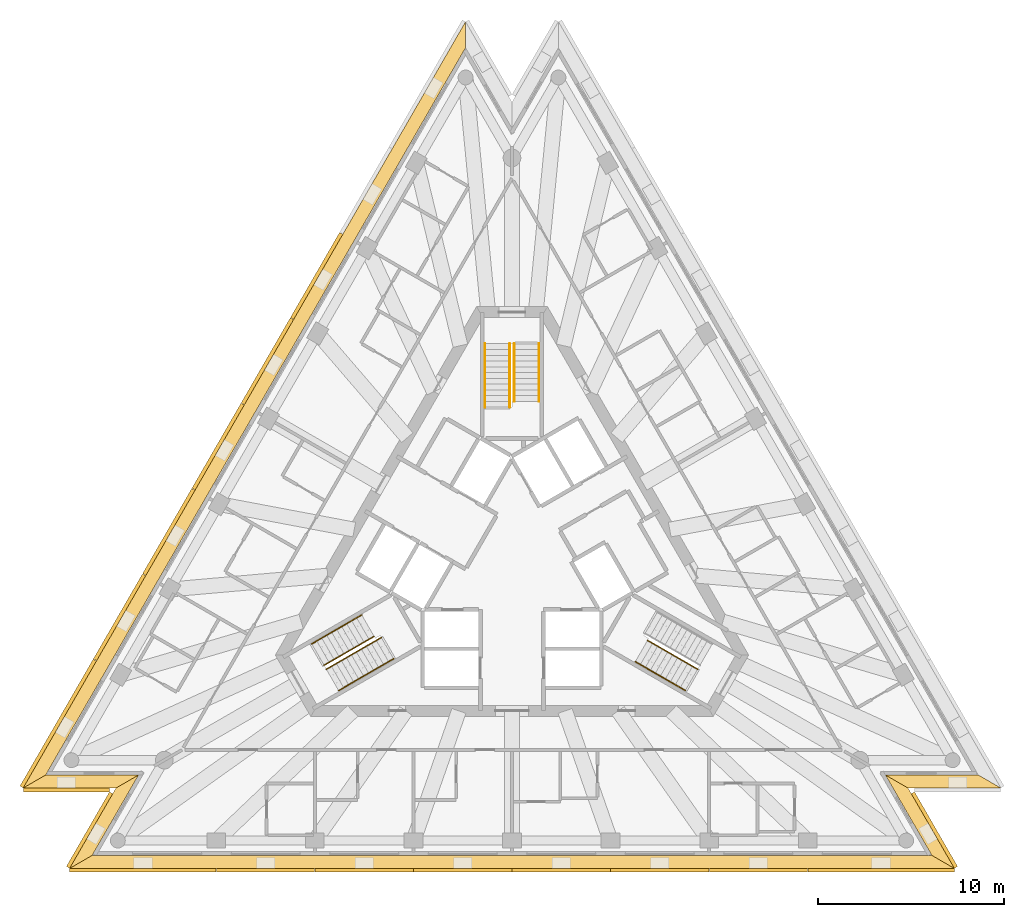
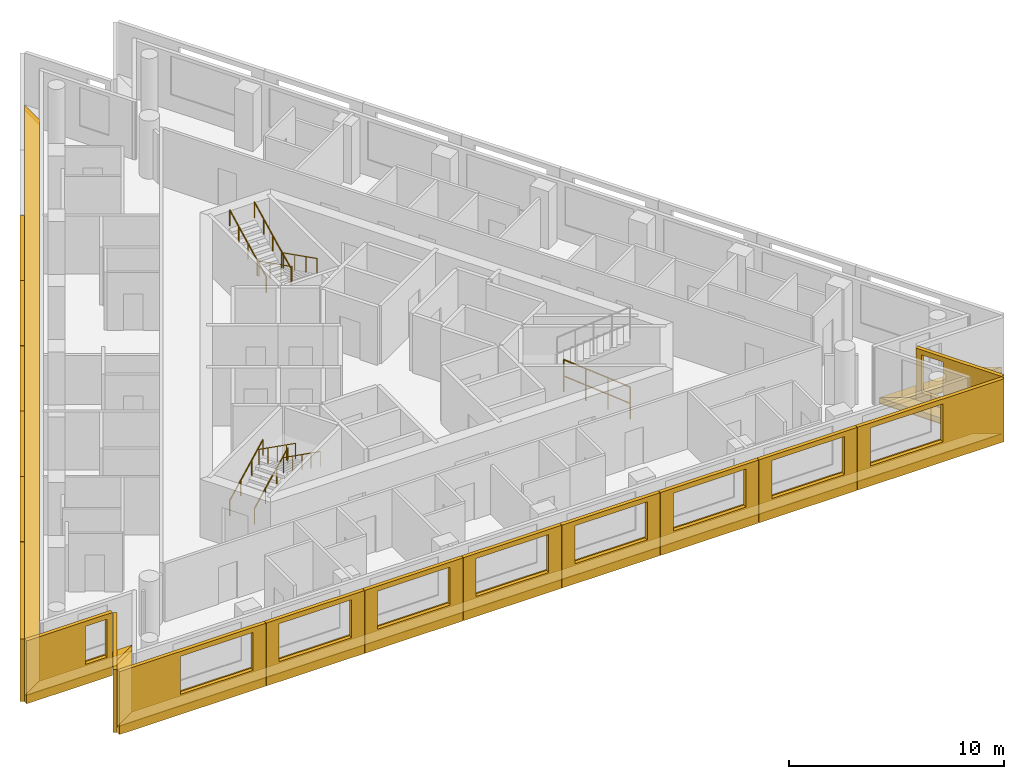
# One storey, part 10 of 11: 23 shading devices, 10 railings, 6 coverings, 3 elements without a shape of their own.
"""IFC4 building model written with IfcOpenShell, lengths in metres."""

import ifcopenshell
import ifcopenshell.guid

model = None  # the IFC model being written
_history = None  # IfcOwnerHistory: only IFC2X3 demands one
_inside = {}  # id of a spatial element -> (the spatial element, [elements in it])
_under = {}  # id of a project, library or spatial element -> (it, [spatial elements below it])
_declared = {}  # id of a project -> (the project, [libraries it declares])
_typed = {}  # id of a type object -> (the type object, [elements of that type])
_made_of = {}  # id of a material, layer set ... -> (it, [elements and type objects made of it])


def new_model(schema):
    """Start an empty IFC model of exactly this schema.

    Asked for "IFC4X3", IfcOpenShell would pick the latest addendum, in which some entities
    have other attributes; the version numbers below select the first issue.
    IFC2X3 requires an IfcOwnerHistory on every rooted entity: one is made here for all.
    """
    global model, _history
    if schema == "IFC4X3":
        model = ifcopenshell.file(schema_version=(4, 3, 0, 0))
    else:
        model = ifcopenshell.file(schema=schema)
    _inside.clear()
    _under.clear()
    _declared.clear()
    _typed.clear()
    _made_of.clear()
    _history = None
    if model.schema == "IFC2X3":
        org = make("IfcOrganization", Name="unknown")
        user = make(
            "IfcPersonAndOrganization",
            ThePerson=make("IfcPerson", FamilyName="unknown"),
            TheOrganization=org,
        )
        app = make(
            "IfcApplication",
            ApplicationDeveloper=org,
            Version="unknown",
            ApplicationFullName="unknown",
            ApplicationIdentifier="unknown",
        )
        _history = make(
            "IfcOwnerHistory",
            OwningUser=user,
            OwningApplication=app,
            ChangeAction="ADDED",
            CreationDate=0,
        )
    return model


def make(cls, **values):
    """One entity of the class cls with the attributes given. An attribute that is None is left unset."""
    return model.create_entity(
        cls, **{name: value for name, value in values.items() if value is not None}
    )


def rooted(cls, **values):
    """An entity with a GlobalId (a new one), such as an element, a storey or a relation."""
    return make(cls, GlobalId=ifcopenshell.guid.new(), OwnerHistory=_history, **values)


def si_unit(unit_type, name, prefix=None):
    """IfcSIUnit, for example si_unit("LENGTHUNIT", "METRE", prefix="MILLI")."""
    return make("IfcSIUnit", UnitType=unit_type, Prefix=prefix, Name=name)


def assignment(units):
    """IfcUnitAssignment: the units of a project."""
    return None if units is None else make("IfcUnitAssignment", Units=units)


def point(xyz):
    """IfcCartesianPoint."""
    return None if xyz is None else make("IfcCartesianPoint", Coordinates=xyz)


def direction(xyz):
    """IfcDirection."""
    return None if xyz is None else make("IfcDirection", DirectionRatios=xyz)


def frame(location, z_axis=None, x_axis=None):
    """IfcAxis2Placement3D, a coordinate frame: its origin and axes. An axis left out is left unset."""
    return make(
        "IfcAxis2Placement3D",
        Location=point(location),
        Axis=direction(z_axis),
        RefDirection=direction(x_axis),
    )


def frame_2d(location, x_axis=None):
    """IfcAxis2Placement2D, a coordinate frame in the plane: its origin and x axis."""
    return make(
        "IfcAxis2Placement2D", Location=point(location), RefDirection=direction(x_axis)
    )


def origin():
    """The frame at (0, 0, 0) with its axes left unset."""
    return frame((0.0, 0.0, 0.0))


def origin_2d():
    """The frame at (0, 0) in the plane with its x axis left unset."""
    return frame_2d((0.0, 0.0))


def place(relative_to, where):
    """IfcLocalPlacement: puts the frame where relative to a parent placement (None: the world)."""
    return make(
        "IfcLocalPlacement", PlacementRelTo=relative_to, RelativePlacement=where
    )


def context(
    kind, dimensions, precision=None, world=None, true_north=None, identifier=None
):
    """IfcGeometricRepresentationContext, for example the 3D "Model" context."""
    return make(
        "IfcGeometricRepresentationContext",
        ContextIdentifier=identifier,
        ContextType=kind,
        CoordinateSpaceDimension=dimensions,
        Precision=precision,
        WorldCoordinateSystem=world,
        TrueNorth=true_north,
    )


def subcontext(parent, identifier, kind, view, scale=None):
    """IfcGeometricRepresentationSubContext, for example "Body" below "Model"."""
    return make(
        "IfcGeometricRepresentationSubContext",
        ContextIdentifier=identifier,
        ContextType=kind,
        ParentContext=parent,
        TargetScale=scale,
        TargetView=view,
    )


def project(units=None, contexts=None):
    """IfcProject with its units and contexts."""
    return rooted(
        "IfcProject",
        Name="project",
        RepresentationContexts=contexts,
        UnitsInContext=assignment(units),
    )


def spatial(cls, under=None, at=None, **own):
    """A site, building, storey or space (cls), placed at a placement, below another one or the project."""
    s = rooted(cls, ObjectPlacement=at, **own)
    if under is not None:
        _under.setdefault(under.id(), (under, []))[1].append(s)
    return s


def polyline(points):
    """IfcPolyline through the points."""
    return make("IfcPolyline", Points=[point(p) for p in points])


def profile(cls, at=None, kind="AREA", **sizes):
    """A parametric profile (cls). Its sizes go by their IFC names, for example OverallWidth=200.0."""
    return make(cls, ProfileType=kind, Position=at, **sizes)


def circle(**sizes):
    """IfcCircleProfileDef."""
    return profile("IfcCircleProfileDef", **sizes)


def outline(outer, holes=None, kind="AREA"):
    """IfcArbitraryClosedProfileDef: a profile drawn as a closed curve; with holes, ...WithVoids."""
    if holes is None:
        return make("IfcArbitraryClosedProfileDef", ProfileType=kind, OuterCurve=outer)
    return make(
        "IfcArbitraryProfileDefWithVoids",
        ProfileType=kind,
        OuterCurve=outer,
        InnerCurves=holes,
    )


def extrude(swept, where, along, depth):
    """IfcExtrudedAreaSolid: the profile swept, set in the frame where, extruded along a direction by depth."""
    return make(
        "IfcExtrudedAreaSolid",
        SweptArea=swept,
        Position=where,
        ExtrudedDirection=direction(along),
        Depth=depth,
    )


def shape(context_of_items, identifier, shape_type, items):
    """IfcShapeRepresentation: the items that make up one representation, for example the "Body"."""
    return make(
        "IfcShapeRepresentation",
        ContextOfItems=context_of_items,
        RepresentationIdentifier=identifier,
        RepresentationType=shape_type,
        Items=items,
    )


def material(Name=None, Category=None):
    """IfcMaterial."""
    return make("IfcMaterial", Name=Name, Category=Category)


def layer(
    of_material, thickness, ventilated=None, Name=None, Category=None, Priority=None
):
    """IfcMaterialLayer: one layer of a wall or slab, of a material (None: an air gap)."""
    return make(
        "IfcMaterialLayer",
        Material=of_material,
        LayerThickness=thickness,
        IsVentilated=ventilated,
        Name=Name,
        Category=Category,
        Priority=Priority,
    )


def layer_set(layers, Name=None):
    """IfcMaterialLayerSet."""
    return make("IfcMaterialLayerSet", MaterialLayers=layers, LayerSetName=Name)


def layer_usage(for_layer_set, set_direction, sense, offset, extent=None):
    """IfcMaterialLayerSetUsage: how a layer set lies in its element."""
    return make(
        "IfcMaterialLayerSetUsage",
        ForLayerSet=for_layer_set,
        LayerSetDirection=set_direction,
        DirectionSense=sense,
        OffsetFromReferenceLine=offset,
        ReferenceExtent=extent,
    )


def made_of(thing, what):
    """Note that an element or type object is made of a material, layer set ...; save() writes the relation."""
    if what is not None:
        _made_of.setdefault(what.id(), (what, []))[1].append(thing)
    return thing


def type_object(cls, material=None, **own):
    """A type object (cls), such as IfcWallType, which elements share."""
    return made_of(rooted(cls, **own), material)


def element(
    cls,
    number,
    at=None,
    inside=None,
    cuts=None,
    type_object=None,
    material=None,
    context=None,
    identifier="Body",
    shape_type=None,
    held_by="IfcProductDefinitionShape",
    body=None,
    shapes=None,
    **own,
):
    """One element of the class cls, such as IfcWall. Its Tag is "e" and its number.

    at: its placement. inside: the storey or other place that contains it. cuts: it is an
    opening in that element (IfcRelVoidsElement). A single representation is given by context,
    identifier, shape_type and body (its items); several are given by shapes. held_by: the class
    of the entity that holds the representations. save() writes the other relations.
    """
    e = rooted(cls, Tag="e%d" % number, ObjectPlacement=at, **own)
    if body is not None:
        shapes = [shape(context, identifier, shape_type, body)]
    if shapes is not None:
        e.Representation = make(held_by, Representations=shapes)
    if inside is not None:
        _inside.setdefault(inside.id(), (inside, []))[1].append(e)
    if cuts is not None:
        rooted(
            "IfcRelVoidsElement", RelatingBuildingElement=cuts, RelatedOpeningElement=e
        )
    if type_object is not None:
        _typed.setdefault(type_object.id(), (type_object, []))[1].append(e)
    return made_of(e, material)


def aggregate(whole, parts):
    """IfcRelAggregates: a whole, such as a stair, and the parts it consists of."""
    return rooted("IfcRelAggregates", RelatingObject=whole, RelatedObjects=parts)


def save(model, path):
    """Write the relations noted so far, then the file.

    IfcRelAggregates (storeys below a building ...), IfcRelContainedInSpatialStructure (elements
    in a storey), IfcRelDefinesByType, IfcRelAssociatesMaterial and IfcRelDeclares: one each for
    every whole, place, type object, material and project.
    """
    for whole, parts in _under.values():
        aggregate(whole, parts)
    for where, things in _inside.values():
        rooted(
            "IfcRelContainedInSpatialStructure",
            RelatedElements=things,
            RelatingStructure=where,
        )
    for kind, things in _typed.values():
        rooted("IfcRelDefinesByType", RelatedObjects=things, RelatingType=kind)
    for what, things in _made_of.values():
        rooted("IfcRelAssociatesMaterial", RelatedObjects=things, RelatingMaterial=what)
    for by, libraries in _declared.values():
        rooted("IfcRelDeclares", RelatingContext=by, RelatedDefinitions=libraries)
    model.write(path)


model = new_model("IFC4")

# Units and contexts
model_context = context("Model", 3, precision=1e-05, world=origin(), true_north=direction((0.0, 1.0)))
body_context = subcontext(model_context, "Body", "Model", "MODEL_VIEW")
ifc_project = project(units=[si_unit("LENGTHUNIT", "METRE"), si_unit("AREAUNIT", "SQUARE_METRE"), si_unit("VOLUMEUNIT", "CUBIC_METRE"), si_unit("PLANEANGLEUNIT", "RADIAN"), si_unit("MASSUNIT", "GRAM", prefix="KILO")], contexts=[model_context])

# Site, building, storey
site_placement = place(None, origin())
site = spatial("IfcSite", under=ifc_project, at=site_placement, CompositionType="ELEMENT")
building_placement = place(site_placement, origin())
building = spatial("IfcBuilding", under=site, at=building_placement, Name="Triada Interchange Tower", CompositionType="ELEMENT")
storey_placement = place(building_placement, frame((0.0, 0.0, 304.300048828125)))
storey = spatial("IfcBuildingStorey", under=building, at=storey_placement, Name="L72", CompositionType="ELEMENT", Elevation=304.300048828125)

# Coverings
ifc_material_1 = material(Name="Mineral fire-stop board")
ifc_layer_1 = layer(ifc_material_1, 0.0400390625, Name="Mineral fire-stop board")
ifc_material_2 = material(Name="Intumescent sealant")
ifc_layer_2 = layer(ifc_material_2, 0.010009765625, Name="Intumescent seal")
ifc_layer_set_1 = layer_set([ifc_layer_1, ifc_layer_2], Name="Cavity fire stop")
ifc_layer_usage = layer_usage(ifc_layer_set_1, "AXIS3", "POSITIVE", 0.0)
covering_type = type_object("IfcCoveringType", Name="Cavity fire stop", PredefinedType="INSULATION", material=ifc_layer_set_1)
covering_1_placement = place(storey_placement, origin())
element("IfcCovering", 1, at=covering_1_placement, inside=storey, type_object=covering_type, material=ifc_layer_usage, Name="Cavity fire stop L72 NW", PredefinedType="INSULATION", context=body_context, shape_type="SweptSolid", body=[
    extrude(outline(polyline([(-2.498046875, 27.527099609375), (-2.498046875, 28.927001953125), (-26.300048828125, -12.300048828125), (-25.087890625, -11.60009765625), (-2.498046875, 27.527099609375)])), origin(), (0.0, 0.0, 1.0), 0.050048828125),
])
covering_2_placement = place(storey_placement, origin())
element("IfcCovering", 2, at=covering_2_placement, inside=storey, type_object=covering_type, material=ifc_layer_usage, Name="Cavity fire stop L72 SW-1", PredefinedType="INSULATION", context=body_context, shape_type="SweptSolid", body=[
    extrude(outline(polyline([(-25.087890625, -11.60009765625), (-26.300048828125, -12.300048828125), (-21.302978515625, -12.300048828125), (-20.091064453125, -11.60009765625), (-25.087890625, -11.60009765625)])), origin(), (0.0, 0.0, 1.0), 0.050048828125),
])
covering_3_placement = place(storey_placement, origin())
element("IfcCovering", 3, at=covering_3_placement, inside=storey, type_object=covering_type, material=ifc_layer_usage, Name="Cavity fire stop L72 SW-2", PredefinedType="INSULATION", context=body_context, shape_type="SweptSolid", body=[
    extrude(outline(polyline([(-20.091064453125, -11.60009765625), (-21.302978515625, -12.300048828125), (-23.802001953125, -16.626953125), (-22.590087890625, -15.927001953125), (-20.091064453125, -11.60009765625)])), origin(), (0.0, 0.0, 1.0), 0.050048828125),
])
covering_4_placement = place(storey_placement, origin())
element("IfcCovering", 4, at=covering_4_placement, inside=storey, type_object=covering_type, material=ifc_layer_usage, Name="Cavity fire stop L72 S", PredefinedType="INSULATION", context=body_context, shape_type="SweptSolid", body=[
    extrude(outline(polyline([(-22.590087890625, -15.927001953125), (-23.802001953125, -16.626953125), (23.802001953125, -16.626953125), (22.590087890625, -15.927001953125), (-22.590087890625, -15.927001953125)])), origin(), (0.0, 0.0, 1.0), 0.050048828125),
])
covering_5_placement = place(storey_placement, origin())
element("IfcCovering", 5, at=covering_5_placement, inside=storey, type_object=covering_type, material=ifc_layer_usage, Name="Cavity fire stop L72 SE-1", PredefinedType="INSULATION", context=body_context, shape_type="SweptSolid", body=[
    extrude(outline(polyline([(22.590087890625, -15.927001953125), (23.802001953125, -16.626953125), (21.302978515625, -12.300048828125), (20.091064453125, -11.60009765625), (22.590087890625, -15.927001953125)])), origin(), (0.0, 0.0, 1.0), 0.050048828125),
])
covering_6_placement = place(storey_placement, origin())
element("IfcCovering", 6, at=covering_6_placement, inside=storey, type_object=covering_type, material=ifc_layer_usage, Name="Cavity fire stop L72 SE-2", PredefinedType="INSULATION", context=body_context, shape_type="SweptSolid", body=[
    extrude(outline(polyline([(20.091064453125, -11.60009765625), (21.302978515625, -12.300048828125), (26.300048828125, -12.300048828125), (25.087890625, -11.60009765625), (20.091064453125, -11.60009765625)])), origin(), (0.0, 0.0, 1.0), 0.050048828125),
])

# Shading devices
ifc_material_3 = material(Name="Aluminium louvre", Category="aluminium")
shading_device_type_1 = type_object("IfcShadingDeviceType", Name="Cavity louvre grille", PredefinedType="JALOUSIE", material=ifc_material_3)
shading_device_1_placement = place(storey_placement, frame((0.0, 0.0, 0.050048828125)))
element("IfcShadingDevice", 7, at=shading_device_1_placement, inside=storey, type_object=shading_device_type_1, Name="Cavity louvre grille L72 NW", PredefinedType="JALOUSIE", context=body_context, shape_type="SweptSolid", body=[
    extrude(outline(polyline([(-2.498046875, 27.527099609375), (-2.498046875, 28.927001953125), (-26.300048828125, -12.300048828125), (-25.087890625, -11.60009765625), (-2.498046875, 27.527099609375)])), origin(), (0.0, 0.0, 1.0), 0.2998046875),
])
shading_device_2_placement = place(storey_placement, frame((0.0, 0.0, 0.050048828125)))
element("IfcShadingDevice", 8, at=shading_device_2_placement, inside=storey, type_object=shading_device_type_1, Name="Cavity louvre grille L72 SW-1", PredefinedType="JALOUSIE", context=body_context, shape_type="SweptSolid", body=[
    extrude(outline(polyline([(-25.087890625, -11.60009765625), (-26.300048828125, -12.300048828125), (-21.302978515625, -12.300048828125), (-20.091064453125, -11.60009765625), (-25.087890625, -11.60009765625)])), origin(), (0.0, 0.0, 1.0), 0.2998046875),
])
shading_device_3_placement = place(storey_placement, frame((0.0, 0.0, 0.050048828125)))
element("IfcShadingDevice", 9, at=shading_device_3_placement, inside=storey, type_object=shading_device_type_1, Name="Cavity louvre grille L72 SW-2", PredefinedType="JALOUSIE", context=body_context, shape_type="SweptSolid", body=[
    extrude(outline(polyline([(-20.091064453125, -11.60009765625), (-21.302978515625, -12.300048828125), (-23.802001953125, -16.626953125), (-22.590087890625, -15.927001953125), (-20.091064453125, -11.60009765625)])), origin(), (0.0, 0.0, 1.0), 0.2998046875),
])
shading_device_4_placement = place(storey_placement, frame((0.0, 0.0, 0.050048828125)))
element("IfcShadingDevice", 10, at=shading_device_4_placement, inside=storey, type_object=shading_device_type_1, Name="Cavity louvre grille L72 S", PredefinedType="JALOUSIE", context=body_context, shape_type="SweptSolid", body=[
    extrude(outline(polyline([(-22.590087890625, -15.927001953125), (-23.802001953125, -16.626953125), (23.802001953125, -16.626953125), (22.590087890625, -15.927001953125), (-22.590087890625, -15.927001953125)])), origin(), (0.0, 0.0, 1.0), 0.2998046875),
])
shading_device_5_placement = place(storey_placement, frame((0.0, 0.0, 0.050048828125)))
element("IfcShadingDevice", 11, at=shading_device_5_placement, inside=storey, type_object=shading_device_type_1, Name="Cavity louvre grille L72 SE-1", PredefinedType="JALOUSIE", context=body_context, shape_type="SweptSolid", body=[
    extrude(outline(polyline([(22.590087890625, -15.927001953125), (23.802001953125, -16.626953125), (21.302978515625, -12.300048828125), (20.091064453125, -11.60009765625), (22.590087890625, -15.927001953125)])), origin(), (0.0, 0.0, 1.0), 0.2998046875),
])
shading_device_6_placement = place(storey_placement, frame((0.0, 0.0, 0.050048828125)))
element("IfcShadingDevice", 12, at=shading_device_6_placement, inside=storey, type_object=shading_device_type_1, Name="Cavity louvre grille L72 SE-2", PredefinedType="JALOUSIE", context=body_context, shape_type="SweptSolid", body=[
    extrude(outline(polyline([(20.091064453125, -11.60009765625), (21.302978515625, -12.300048828125), (26.300048828125, -12.300048828125), (25.087890625, -11.60009765625), (20.091064453125, -11.60009765625)])), origin(), (0.0, 0.0, 1.0), 0.2998046875),
])
ifc_material_4 = material(Name="Concrete C50/60 precast", Category="concrete")
ifc_layer_3 = layer(ifc_material_4, 0.02001953125, Name="Exposed aggregate face")
ifc_layer_4 = layer(ifc_material_4, 0.179931640625, Name="Precast concrete screen")
ifc_layer_set_2 = layer_set([ifc_layer_3, ifc_layer_4], Name="Outer skin screen panel 3580")
shading_device_type_2 = type_object("IfcShadingDeviceType", Name="Outer skin screen panel 3580", PredefinedType="SHUTTER", material=ifc_layer_set_2)
shading_device_7_placement = place(storey_placement, frame((-9.10302734375, 17.487060546875, -0.2900390625), z_axis=(0.0, 0.0, 1.0), x_axis=(-0.500011881073, -0.866018544135, 0.0)))
element("IfcShadingDevice", 13, at=shading_device_7_placement, inside=storey, type_object=shading_device_type_2, Name="Outer skin screen panel L72 03", PredefinedType="SHUTTER", context=body_context, shape_type="SweptSolid", body=[
    extrude(outline(polyline([(0.0, 0.0), (5.281494140625, 0.0), (5.281494140625, 3.580078125), (0.0, 3.580078125), (0.0, 0.0)]), holes=[polyline([(0.6904296875, 1.139892578125), (0.6904296875, 3.300048828125), (4.59033203125, 3.300048828125), (4.59033203125, 1.139892578125), (0.6904296875, 1.139892578125)])]), frame((0.0, 0.0, 0.0), z_axis=(0.0, -1.0, 0.0), x_axis=(1.0, 0.0, 0.0)), (0.0, 0.0, 1.0), 0.199951171875),
])
shading_device_8_placement = place(storey_placement, frame((-11.75390625, 12.89599609375, -0.2900390625), z_axis=(0.0, 0.0, 1.0), x_axis=(-0.499907866474, -0.866078590566, 0.0)))
element("IfcShadingDevice", 14, at=shading_device_8_placement, inside=storey, type_object=shading_device_type_2, Name="Outer skin screen panel L72 04", PredefinedType="SHUTTER", context=body_context, shape_type="SweptSolid", body=[
    extrude(outline(polyline([(0.0, 0.0), (5.28125, 0.0), (5.28125, 3.580078125), (0.0, 3.580078125), (0.0, 0.0)]), holes=[polyline([(0.690185546875, 1.139892578125), (0.690185546875, 3.300048828125), (4.59033203125, 3.300048828125), (4.59033203125, 1.139892578125), (0.690185546875, 1.139892578125)])]), frame((0.0, 0.0, 0.0), z_axis=(0.0, -1.0, 0.0), x_axis=(1.0, 0.0, 0.0)), (0.0, 0.0, 1.0), 0.199951171875),
])
shading_device_9_placement = place(storey_placement, frame((-14.404052734375, 8.304931640625, -0.2900390625), z_axis=(0.0, 0.0, 1.0), x_axis=(-0.500011881073, -0.866018544135, 0.0)))
element("IfcShadingDevice", 15, at=shading_device_9_placement, inside=storey, type_object=shading_device_type_2, Name="Outer skin screen panel L72 05", PredefinedType="SHUTTER", context=body_context, shape_type="SweptSolid", body=[
    extrude(outline(polyline([(0.0, 0.0), (5.281494140625, 0.0), (5.281494140625, 3.580078125), (0.0, 3.580078125), (0.0, 0.0)]), holes=[polyline([(0.690185546875, 1.139892578125), (0.690185546875, 3.300048828125), (4.59033203125, 3.300048828125), (4.59033203125, 1.139892578125), (0.690185546875, 1.139892578125)])]), frame((0.0, 0.0, 0.0), z_axis=(0.0, -1.0, 0.0), x_axis=(1.0, 0.0, 0.0)), (0.0, 0.0, 1.0), 0.199951171875),
])
shading_device_10_placement = place(storey_placement, frame((-17.054931640625, 3.714111328125, -0.2900390625), z_axis=(0.0, 0.0, 1.0), x_axis=(-0.499887852359, -0.866090142574, 0.0)))
element("IfcShadingDevice", 16, at=shading_device_10_placement, inside=storey, type_object=shading_device_type_2, Name="Outer skin screen panel L72 06", PredefinedType="SHUTTER", context=body_context, shape_type="SweptSolid", body=[
    extrude(outline(polyline([(0.0, 0.0), (5.281494140625, 0.0), (5.281494140625, 3.580078125), (0.0, 3.580078125), (0.0, 0.0)]), holes=[polyline([(0.690185546875, 1.139892578125), (0.690185546875, 3.300048828125), (4.590087890625, 3.300048828125), (4.590087890625, 1.139892578125), (0.690185546875, 1.139892578125)])]), frame((0.0, 0.0, 0.0), z_axis=(0.0, -1.0, 0.0), x_axis=(1.0, 0.0, 0.0)), (0.0, 0.0, 1.0), 0.199951171875),
])
shading_device_11_placement = place(storey_placement, frame((-19.705078125, -0.876953125, -0.2900390625), z_axis=(0.0, 0.0, 1.0), x_axis=(-0.500091956443, -0.865972306197, 0.0)))
element("IfcShadingDevice", 17, at=shading_device_11_placement, inside=storey, type_object=shading_device_type_2, Name="Outer skin screen panel L72 07", PredefinedType="SHUTTER", context=body_context, shape_type="SweptSolid", body=[
    extrude(outline(polyline([(0.0, 0.0), (5.28076171875, 0.0), (5.28076171875, 3.580078125), (0.0, 3.580078125), (0.0, 0.0)]), holes=[polyline([(0.690185546875, 1.139892578125), (0.690185546875, 3.300048828125), (4.590087890625, 3.300048828125), (4.590087890625, 1.139892578125), (0.690185546875, 1.139892578125)])]), frame((0.0, 0.0, 0.0), z_axis=(0.0, -1.0, 0.0), x_axis=(1.0, 0.0, 0.0)), (0.0, 0.0, 1.0), 0.199951171875),
])
shading_device_12_placement = place(storey_placement, frame((-22.35595703125, -5.468017578125, -0.2900390625), z_axis=(0.0, 0.0, 1.0), x_axis=(-0.499971924588, -0.866041612524, 0.0)))
element("IfcShadingDevice", 18, at=shading_device_12_placement, inside=storey, type_object=shading_device_type_2, Name="Outer skin screen panel L72 08", PredefinedType="SHUTTER", context=body_context, shape_type="SweptSolid", body=[
    extrude(outline(polyline([(0.0, 0.0), (7.87841796875, 0.0), (7.87841796875, 3.580078125), (0.0, 3.580078125), (0.0, 0.0)]), holes=[polyline([(0.690185546875, 1.139892578125), (0.690185546875, 3.300048828125), (4.590087890625, 3.300048828125), (4.590087890625, 1.139892578125), (0.690185546875, 1.139892578125)])]), frame((0.0, 0.0, 0.0), z_axis=(0.0, -1.0, 0.0), x_axis=(1.0, 0.0, 0.0)), (0.0, 0.0, 1.0), 0.199951171875),
])
shading_device_13_placement = place(storey_placement, frame((-26.2900390625, -12.300048828125, -0.2900390625), z_axis=(0.0, 0.0, 1.0), x_axis=(1.0, 0.0, 0.0)))
element("IfcShadingDevice", 19, at=shading_device_13_placement, inside=storey, type_object=shading_device_type_2, Name="Outer skin screen panel L72 09", PredefinedType="SHUTTER", context=body_context, shape_type="SweptSolid", body=[
    extrude(outline(polyline([(0.0, 0.0), (4.630126953125, 0.0), (4.630126953125, 3.580078125), (0.0, 3.580078125), (0.0, 0.0)]), holes=[polyline([(3.175048828125, 1.139892578125), (3.175048828125, 3.300048828125), (4.330078125, 3.300048828125), (4.330078125, 1.139892578125), (3.175048828125, 1.139892578125)])]), frame((0.0, 0.0, 0.0), z_axis=(0.0, -1.0, 0.0), x_axis=(1.0, 0.0, 0.0)), (0.0, 0.0, 1.0), 0.199951171875),
])
shading_device_14_placement = place(storey_placement, frame((-21.48193359375, -12.60888671875, -0.2900390625), z_axis=(0.0, 0.0, 1.0), x_axis=(-0.500092201355, -0.865972164763, 0.0)))
element("IfcShadingDevice", 20, at=shading_device_14_placement, inside=storey, type_object=shading_device_type_2, Name="Outer skin screen panel L72 10", PredefinedType="SHUTTER", context=body_context, shape_type="SweptSolid", body=[
    extrude(outline(polyline([(0.0, 0.0), (4.629638671875, 0.0), (4.629638671875, 3.580078125), (0.0, 3.580078125), (0.0, 0.0)]), holes=[polyline([(0.300048828125, 1.139892578125), (0.300048828125, 3.300048828125), (1.2578125, 3.300048828125), (1.2578125, 1.139892578125), (0.300048828125, 1.139892578125)])]), frame((0.0, 0.0, 0.0), z_axis=(0.0, -1.0, 0.0), x_axis=(1.0, 0.0, 0.0)), (0.0, 0.0, 1.0), 0.199951171875),
])
shading_device_15_placement = place(storey_placement, frame((-23.7919921875, -16.626953125, -0.2900390625), z_axis=(0.0, 0.0, 1.0), x_axis=(1.0, 0.0, 0.0)))
element("IfcShadingDevice", 21, at=shading_device_15_placement, inside=storey, type_object=shading_device_type_2, Name="Outer skin screen panel L72 11", PredefinedType="SHUTTER", context=body_context, shape_type="SweptSolid", body=[
    extrude(outline(polyline([(0.0, 0.0), (7.87890625, 0.0), (7.87890625, 3.580078125), (0.0, 3.580078125), (0.0, 0.0)]), holes=[polyline([(3.2890625, 1.139892578125), (3.2890625, 3.300048828125), (7.18896484375, 3.300048828125), (7.18896484375, 1.139892578125), (3.2890625, 1.139892578125)])]), frame((0.0, 0.0, 0.0), z_axis=(0.0, -1.0, 0.0), x_axis=(1.0, 0.0, 0.0)), (0.0, 0.0, 1.0), 0.199951171875),
])
for number, where, z_axis, x_axis, name in (
    (22, (-15.89306640625, -16.626953125, -0.2900390625), (0.0, 0.0, 1.0), (1.0, 0.0, 0.0), "Outer skin screen panel L72 12"),
    (23, (-10.592041015625, -16.626953125, -0.2900390625), (0.0, 0.0, 1.0), (1.0, 0.0, 0.0), "Outer skin screen panel L72 13"),
):
    element("IfcShadingDevice", number, at=place(storey_placement, frame(where, z_axis=z_axis, x_axis=x_axis)), inside=storey, type_object=shading_device_type_2, Name=name, PredefinedType="SHUTTER", context=body_context, shape_type="SweptSolid", body=[
        extrude(outline(polyline([(0.0, 0.0), (5.281005859375, 0.0), (5.281005859375, 3.580078125), (0.0, 3.580078125), (0.0, 0.0)]), holes=[polyline([(0.69091796875, 1.139892578125), (0.69091796875, 3.300048828125), (4.591064453125, 3.300048828125), (4.591064453125, 1.139892578125), (0.69091796875, 1.139892578125)])]), frame((0.0, 0.0, 0.0), z_axis=(0.0, -1.0, 0.0), x_axis=(1.0, 0.0, 0.0)), (0.0, 0.0, 1.0), 0.199951171875),
    ])
shading_device_16_placement = place(storey_placement, frame((-5.291015625, -16.626953125, -0.2900390625), z_axis=(0.0, 0.0, 1.0), x_axis=(1.0, 0.0, 0.0)))
element("IfcShadingDevice", 24, at=shading_device_16_placement, inside=storey, type_object=shading_device_type_2, Name="Outer skin screen panel L72 14", PredefinedType="SHUTTER", context=body_context, shape_type="SweptSolid", body=[
    extrude(outline(polyline([(0.0, 0.0), (5.281005859375, 0.0), (5.281005859375, 3.580078125), (0.0, 3.580078125), (0.0, 0.0)]), holes=[polyline([(0.68994140625, 1.139892578125), (0.68994140625, 3.300048828125), (4.590087890625, 3.300048828125), (4.590087890625, 1.139892578125), (0.68994140625, 1.139892578125)])]), frame((0.0, 0.0, 0.0), z_axis=(0.0, -1.0, 0.0), x_axis=(1.0, 0.0, 0.0)), (0.0, 0.0, 1.0), 0.199951171875),
])
shading_device_17_placement = place(storey_placement, frame((0.010009765625, -16.626953125, -0.2900390625), z_axis=(0.0, 0.0, 1.0), x_axis=(1.0, 0.0, 0.0)))
element("IfcShadingDevice", 25, at=shading_device_17_placement, inside=storey, type_object=shading_device_type_2, Name="Outer skin screen panel L72 15", PredefinedType="SHUTTER", context=body_context, shape_type="SweptSolid", body=[
    extrude(outline(polyline([(0.0, 0.0), (5.281005859375, 0.0), (5.281005859375, 3.580078125), (0.0, 3.580078125), (0.0, 0.0)]), holes=[polyline([(0.69091796875, 1.139892578125), (0.69091796875, 3.300048828125), (4.591064453125, 3.300048828125), (4.591064453125, 1.139892578125), (0.69091796875, 1.139892578125)])]), frame((0.0, 0.0, 0.0), z_axis=(0.0, -1.0, 0.0), x_axis=(1.0, 0.0, 0.0)), (0.0, 0.0, 1.0), 0.199951171875),
])
shading_device_18_placement = place(storey_placement, frame((5.31103515625, -16.626953125, -0.2900390625), z_axis=(0.0, 0.0, 1.0), x_axis=(1.0, 0.0, 0.0)))
element("IfcShadingDevice", 26, at=shading_device_18_placement, inside=storey, type_object=shading_device_type_2, Name="Outer skin screen panel L72 16", PredefinedType="SHUTTER", context=body_context, shape_type="SweptSolid", body=[
    extrude(outline(polyline([(0.0, 0.0), (5.281005859375, 0.0), (5.281005859375, 3.580078125), (0.0, 3.580078125), (0.0, 0.0)]), holes=[polyline([(0.68994140625, 1.139892578125), (0.68994140625, 3.300048828125), (4.590087890625, 3.300048828125), (4.590087890625, 1.139892578125), (0.68994140625, 1.139892578125)])]), frame((0.0, 0.0, 0.0), z_axis=(0.0, -1.0, 0.0), x_axis=(1.0, 0.0, 0.0)), (0.0, 0.0, 1.0), 0.199951171875),
])
shading_device_19_placement = place(storey_placement, frame((10.612060546875, -16.626953125, -0.2900390625), z_axis=(0.0, 0.0, 1.0), x_axis=(1.0, 0.0, 0.0)))
element("IfcShadingDevice", 27, at=shading_device_19_placement, inside=storey, type_object=shading_device_type_2, Name="Outer skin screen panel L72 17", PredefinedType="SHUTTER", context=body_context, shape_type="SweptSolid", body=[
    extrude(outline(polyline([(0.0, 0.0), (5.281005859375, 0.0), (5.281005859375, 3.580078125), (0.0, 3.580078125), (0.0, 0.0)]), holes=[polyline([(0.69091796875, 1.139892578125), (0.69091796875, 3.300048828125), (4.591064453125, 3.300048828125), (4.591064453125, 1.139892578125), (0.69091796875, 1.139892578125)])]), frame((0.0, 0.0, 0.0), z_axis=(0.0, -1.0, 0.0), x_axis=(1.0, 0.0, 0.0)), (0.0, 0.0, 1.0), 0.199951171875),
])
shading_device_20_placement = place(storey_placement, frame((15.9130859375, -16.626953125, -0.2900390625), z_axis=(0.0, 0.0, 1.0), x_axis=(1.0, 0.0, 0.0)))
element("IfcShadingDevice", 28, at=shading_device_20_placement, inside=storey, type_object=shading_device_type_2, Name="Outer skin screen panel L72 18", PredefinedType="SHUTTER", context=body_context, shape_type="SweptSolid", body=[
    extrude(outline(polyline([(0.0, 0.0), (7.87890625, 0.0), (7.87890625, 3.580078125), (0.0, 3.580078125), (0.0, 0.0)]), holes=[polyline([(0.68994140625, 1.139892578125), (0.68994140625, 3.300048828125), (4.590087890625, 3.300048828125), (4.590087890625, 1.139892578125), (0.68994140625, 1.139892578125)])]), frame((0.0, 0.0, 0.0), z_axis=(0.0, -1.0, 0.0), x_axis=(1.0, 0.0, 0.0)), (0.0, 0.0, 1.0), 0.199951171875),
])
shading_device_21_placement = place(storey_placement, frame((23.797119140625, -16.617919921875, -0.2900390625), z_axis=(0.0, 0.0, 1.0), x_axis=(-0.500092201355, 0.865972164763, 0.0)))
element("IfcShadingDevice", 29, at=shading_device_21_placement, inside=storey, type_object=shading_device_type_2, Name="Outer skin screen panel L72 19", PredefinedType="SHUTTER", context=body_context, shape_type="SweptSolid", body=[
    extrude(outline(polyline([(0.0, 0.0), (4.629638671875, 0.0), (4.629638671875, 3.580078125), (0.0, 3.580078125), (0.0, 0.0)]), holes=[polyline([(3.17529296875, 1.139892578125), (3.17529296875, 3.300048828125), (4.330078125, 3.300048828125), (4.330078125, 1.139892578125), (3.17529296875, 1.139892578125)])]), frame((0.0, 0.0, 0.0), z_axis=(0.0, -1.0, 0.0), x_axis=(1.0, 0.0, 0.0)), (0.0, 0.0, 1.0), 0.199951171875),
])

# Stair, railings
ifc_material_5 = material(Name="Concrete C35/45", Category="concrete")
stair_type = type_object("IfcStairType", Name="HALF TURN STAIR 1400", PredefinedType="HALF_TURN_STAIR", material=ifc_material_5)
stair_1_placement = place(storey_placement, origin())
stair_1 = element("IfcStair", 30, at=stair_1_placement, inside=storey, type_object=stair_type, Name="Exit stair S71-1", PredefinedType="HALF_TURN_STAIR")
ifc_material_6 = material(Name="Stainless steel 1.4301", Category="steel")
railing_type = type_object("IfcRailingType", Name="STAIR HANDRAIL 900", PredefinedType="HANDRAIL", material=ifc_material_6)
railing_1_placement = place(storey_placement, frame((1.449951171875, 11.60009765625, 0.156494140625)))
railing_1 = element("IfcRailing", 31, at=railing_1_placement, type_object=railing_type, Name="Handrail S71-1 1W", PredefinedType="HANDRAIL", context=body_context, shape_type="SweptSolid", body=[
    extrude(circle(Radius=0.02392578125, at=origin_2d()), frame((0.0, 0.0, 0.8759765625), z_axis=(0.0, -0.89267693942, 0.450697106522), x_axis=(1.0, 0.0, 0.0)), (0.0, 0.0, 1.0), 3.472900390625),
    extrude(circle(Radius=0.02099609375, at=origin_2d()), origin(), (0.0, 0.0, 1.0), 0.851806640625),
    extrude(circle(Radius=0.02099609375, at=origin_2d()), frame((0.0, -1.033447265625, 0.521728515625)), (0.0, 0.0, 1.0), 0.851806640625),
    extrude(circle(Radius=0.02099609375, at=origin_2d()), frame((0.0, -2.066650390625, 1.04345703125)), (0.0, 0.0, 1.0), 0.851806640625),
    extrude(circle(Radius=0.02099609375, at=origin_2d()), frame((0.0, -3.10009765625, 1.565185546875)), (0.0, 0.0, 1.0), 0.851806640625),
])
railing_2_placement = place(storey_placement, frame((0.1201171875, 11.60009765625, 0.156494140625)))
railing_2 = element("IfcRailing", 32, at=railing_2_placement, type_object=railing_type, Name="Handrail S71-1 1C", PredefinedType="HANDRAIL", context=body_context, shape_type="SweptSolid", body=[
    extrude(circle(Radius=0.02392578125, at=origin_2d()), frame((0.0, 0.0, 0.8759765625), z_axis=(0.0, -0.89267693942, 0.450697106522), x_axis=(1.0, 0.0, 0.0)), (0.0, 0.0, 1.0), 3.472900390625),
    extrude(circle(Radius=0.02099609375, at=origin_2d()), origin(), (0.0, 0.0, 1.0), 0.851806640625),
    extrude(circle(Radius=0.02099609375, at=origin_2d()), frame((0.0, -1.033447265625, 0.521728515625)), (0.0, 0.0, 1.0), 0.851806640625),
    extrude(circle(Radius=0.02099609375, at=origin_2d()), frame((0.0, -2.066650390625, 1.04345703125)), (0.0, 0.0, 1.0), 0.851806640625),
    extrude(circle(Radius=0.02099609375, at=origin_2d()), frame((0.0, -3.10009765625, 1.565185546875)), (0.0, 0.0, 1.0), 0.851806640625),
])
railing_3_placement = place(storey_placement, frame((-1.449951171875, 8.18994140625, 1.878173828125)))
railing_3 = element("IfcRailing", 33, at=railing_3_placement, type_object=railing_type, Name="Handrail S71-1 2W", PredefinedType="HANDRAIL", context=body_context, shape_type="SweptSolid", body=[
    extrude(circle(Radius=0.02392578125, at=origin_2d()), frame((0.0, 0.0, 0.8759765625), z_axis=(0.0, 0.892682106939, 0.450686871287), x_axis=(-1.0, 0.0, 0.0)), (0.0, 0.0, 1.0), 3.820068359375),
    extrude(circle(Radius=0.02099609375, at=origin_2d()), origin(), (0.0, 0.0, 1.0), 0.851806640625),
    extrude(circle(Radius=0.02099609375, at=origin_2d()), frame((0.0, 0.8525390625, 0.430419921875)), (0.0, 0.0, 1.0), 0.851806640625),
    extrude(circle(Radius=0.02099609375, at=origin_2d()), frame((0.0, 1.705078125, 0.86083984375)), (0.0, 0.0, 1.0), 0.851806640625),
    extrude(circle(Radius=0.02099609375, at=origin_2d()), frame((0.0, 2.5576171875, 1.291259765625)), (0.0, 0.0, 1.0), 0.851806640625),
    extrude(circle(Radius=0.02099609375, at=origin_2d()), frame((0.0, 3.41015625, 1.7216796875)), (0.0, 0.0, 1.0), 0.851806640625),
])
railing_4_placement = place(storey_placement, frame((-0.1201171875, 8.18994140625, 1.878173828125)))
railing_4 = element("IfcRailing", 34, at=railing_4_placement, type_object=railing_type, Name="Handrail S71-1 2C", PredefinedType="HANDRAIL", context=body_context, shape_type="SweptSolid", body=[
    extrude(circle(Radius=0.02392578125, at=origin_2d()), frame((0.0, 0.0, 0.8759765625), z_axis=(0.0, 0.892682106939, 0.450686871287), x_axis=(-1.0, 0.0, 0.0)), (0.0, 0.0, 1.0), 3.820068359375),
    extrude(circle(Radius=0.02099609375, at=origin_2d()), origin(), (0.0, 0.0, 1.0), 0.851806640625),
    extrude(circle(Radius=0.02099609375, at=origin_2d()), frame((0.0, 0.8525390625, 0.430419921875)), (0.0, 0.0, 1.0), 0.851806640625),
    extrude(circle(Radius=0.02099609375, at=origin_2d()), frame((0.0, 1.705078125, 0.86083984375)), (0.0, 0.0, 1.0), 0.851806640625),
    extrude(circle(Radius=0.02099609375, at=origin_2d()), frame((0.0, 2.5576171875, 1.291259765625)), (0.0, 0.0, 1.0), 0.851806640625),
    extrude(circle(Radius=0.02099609375, at=origin_2d()), frame((0.0, 3.41015625, 1.7216796875)), (0.0, 0.0, 1.0), 0.851806640625),
])
aggregate(stair_1, [railing_1, railing_2, railing_3, railing_4])

stair_2_placement = place(storey_placement, origin())
stair_2 = element("IfcStair", 35, at=stair_2_placement, inside=storey, type_object=stair_type, Name="Exit stair S71-2", PredefinedType="HALF_TURN_STAIR")
railing_5_placement = place(storey_placement, frame((-10.77099609375, -4.5439453125, 0.156494140625)))
railing_5 = element("IfcRailing", 36, at=railing_5_placement, type_object=railing_type, Name="Handrail S71-2 1W", PredefinedType="HANDRAIL", context=body_context, shape_type="SweptSolid", body=[
    extrude(circle(Radius=0.02392578125, at=origin_2d()), frame((0.0, 0.0, 0.8759765625), z_axis=(0.773115112249, 0.446309133267, 0.4506674836), x_axis=(-0.499958760481, 0.866049212123, 0.0)), (0.0, 0.0, 1.0), 3.47314453125),
    extrude(circle(Radius=0.02099609375, at=origin_2d()), origin(), (0.0, 0.0, 1.0), 0.851806640625),
    extrude(circle(Radius=0.02099609375, at=origin_2d()), frame((0.89501953125, 0.5166015625, 0.521728515625)), (0.0, 0.0, 1.0), 0.851806640625),
    extrude(circle(Radius=0.02099609375, at=origin_2d()), frame((1.7900390625, 1.033447265625, 1.04345703125)), (0.0, 0.0, 1.0), 0.851806640625),
    extrude(circle(Radius=0.02099609375, at=origin_2d()), frame((2.68505859375, 1.550048828125, 1.565185546875)), (0.0, 0.0, 1.0), 0.851806640625),
])
railing_6_placement = place(storey_placement, frame((-10.10595703125, -5.696044921875, 0.156494140625)))
railing_6 = element("IfcRailing", 37, at=railing_6_placement, type_object=railing_type, Name="Handrail S71-2 1C", PredefinedType="HANDRAIL", context=body_context, shape_type="SweptSolid", body=[
    extrude(circle(Radius=0.02392578125, at=origin_2d()), frame((0.0, 0.0, 0.8759765625), z_axis=(0.773115112249, 0.446309133267, 0.4506674836), x_axis=(-0.499958760481, 0.866049212123, 0.0)), (0.0, 0.0, 1.0), 3.47314453125),
    extrude(circle(Radius=0.02099609375, at=origin_2d()), origin(), (0.0, 0.0, 1.0), 0.851806640625),
    extrude(circle(Radius=0.02099609375, at=origin_2d()), frame((0.89501953125, 0.5166015625, 0.521728515625)), (0.0, 0.0, 1.0), 0.851806640625),
    extrude(circle(Radius=0.02099609375, at=origin_2d()), frame((1.7900390625, 1.033447265625, 1.04345703125)), (0.0, 0.0, 1.0), 0.851806640625),
    extrude(circle(Radius=0.02099609375, at=origin_2d()), frame((2.68505859375, 1.550048828125, 1.565185546875)), (0.0, 0.0, 1.0), 0.851806640625),
])
railing_7_placement = place(storey_placement, frame((-6.367919921875, -5.35107421875, 1.878173828125)))
railing_7 = element("IfcRailing", 38, at=railing_7_placement, type_object=railing_type, Name="Handrail S71-2 2W", PredefinedType="HANDRAIL", context=body_context, shape_type="SweptSolid", body=[
    extrude(circle(Radius=0.02392578125, at=origin_2d()), frame((0.0, 0.0, 0.8759765625), z_axis=(-0.773090904651, -0.446304049866, 0.450714042625), x_axis=(0.499966231165, -0.866044899352, 0.0)), (0.0, 0.0, 1.0), 3.81982421875),
    extrude(circle(Radius=0.02099609375, at=origin_2d()), origin(), (0.0, 0.0, 1.0), 0.851806640625),
    extrude(circle(Radius=0.02099609375, at=origin_2d()), frame((-0.73828125, -0.42626953125, 0.430419921875)), (0.0, 0.0, 1.0), 0.851806640625),
    extrude(circle(Radius=0.02099609375, at=origin_2d()), frame((-1.4765625, -0.8525390625, 0.86083984375)), (0.0, 0.0, 1.0), 0.851806640625),
    extrude(circle(Radius=0.02099609375, at=origin_2d()), frame((-2.21484375, -1.278564453125, 1.291259765625)), (0.0, 0.0, 1.0), 0.851806640625),
    extrude(circle(Radius=0.02099609375, at=origin_2d()), frame((-2.953125, -1.704833984375, 1.7216796875)), (0.0, 0.0, 1.0), 0.851806640625),
])
railing_8_placement = place(storey_placement, frame((-7.032958984375, -4.198974609375, 1.878173828125)))
railing_8 = element("IfcRailing", 39, at=railing_8_placement, type_object=railing_type, Name="Handrail S71-2 2C", PredefinedType="HANDRAIL", context=body_context, shape_type="SweptSolid", body=[
    extrude(circle(Radius=0.02392578125, at=origin_2d()), frame((0.0, 0.0, 0.8759765625), z_axis=(-0.773068851904, -0.446355229968, 0.450701185816), x_axis=(0.50001992892, -0.866013897511, 0.0)), (0.0, 0.0, 1.0), 3.820068359375),
    extrude(circle(Radius=0.02099609375, at=origin_2d()), origin(), (0.0, 0.0, 1.0), 0.851806640625),
    extrude(circle(Radius=0.02099609375, at=origin_2d()), frame((-0.73828125, -0.42626953125, 0.430419921875)), (0.0, 0.0, 1.0), 0.851806640625),
    extrude(circle(Radius=0.02099609375, at=origin_2d()), frame((-1.4765625, -0.8525390625, 0.86083984375)), (0.0, 0.0, 1.0), 0.851806640625),
    extrude(circle(Radius=0.02099609375, at=origin_2d()), frame((-2.21484375, -1.27880859375, 1.291259765625)), (0.0, 0.0, 1.0), 0.851806640625),
    extrude(circle(Radius=0.02099609375, at=origin_2d()), frame((-2.953125, -1.705078125, 1.7216796875)), (0.0, 0.0, 1.0), 0.851806640625),
])
aggregate(stair_2, [railing_5, railing_6, railing_7, railing_8])

stair_3_placement = place(storey_placement, origin())
stair_3 = element("IfcStair", 40, at=stair_3_placement, inside=storey, type_object=stair_type, Name="Exit stair S71-3", PredefinedType="HALF_TURN_STAIR")
railing_9_placement = place(storey_placement, frame((9.321044921875, -7.055908203125, 0.156494140625)))
railing_9 = element("IfcRailing", 41, at=railing_9_placement, type_object=railing_type, Name="Handrail S71-3 1W", PredefinedType="HANDRAIL", context=body_context, shape_type="SweptSolid", body=[
    extrude(circle(Radius=0.02392578125, at=origin_2d()), frame((0.0, 0.0, 0.8759765625), z_axis=(-0.773139366989, 0.446252837029, 0.450681622274), x_axis=(-0.499899694197, -0.866083307622, 0.0)), (0.0, 0.0, 1.0), 3.472900390625),
    extrude(circle(Radius=0.02099609375, at=origin_2d()), origin(), (0.0, 0.0, 1.0), 0.851806640625),
    extrude(circle(Radius=0.02099609375, at=origin_2d()), frame((-0.89501953125, 0.5166015625, 0.521728515625)), (0.0, 0.0, 1.0), 0.851806640625),
    extrude(circle(Radius=0.02099609375, at=origin_2d()), frame((-1.7900390625, 1.033203125, 1.04345703125)), (0.0, 0.0, 1.0), 0.851806640625),
    extrude(circle(Radius=0.02099609375, at=origin_2d()), frame((-2.68505859375, 1.5498046875, 1.565185546875)), (0.0, 0.0, 1.0), 0.851806640625),
])
railing_10_placement = place(storey_placement, frame((9.986083984375, -5.904052734375, 0.156494140625)))
railing_10 = element("IfcRailing", 42, at=railing_10_placement, type_object=railing_type, Name="Handrail S71-3 1C", PredefinedType="HANDRAIL", context=body_context, shape_type="SweptSolid", body=[
    extrude(circle(Radius=0.02392578125, at=origin_2d()), frame((0.0, 0.0, 0.8759765625), z_axis=(-0.773115112249, 0.446309133267, 0.4506674836), x_axis=(-0.499958760481, -0.866049212123, 0.0)), (0.0, 0.0, 1.0), 3.47314453125),
    extrude(circle(Radius=0.02099609375, at=origin_2d()), origin(), (0.0, 0.0, 1.0), 0.851806640625),
    extrude(circle(Radius=0.02099609375, at=origin_2d()), frame((-0.89501953125, 0.5166015625, 0.521728515625)), (0.0, 0.0, 1.0), 0.851806640625),
    extrude(circle(Radius=0.02099609375, at=origin_2d()), frame((-1.7900390625, 1.033447265625, 1.04345703125)), (0.0, 0.0, 1.0), 0.851806640625),
    extrude(circle(Radius=0.02099609375, at=origin_2d()), frame((-2.68505859375, 1.550048828125, 1.565185546875)), (0.0, 0.0, 1.0), 0.851806640625),
])
aggregate(stair_3, [railing_9, railing_10])

save(model, "model.ifc")
